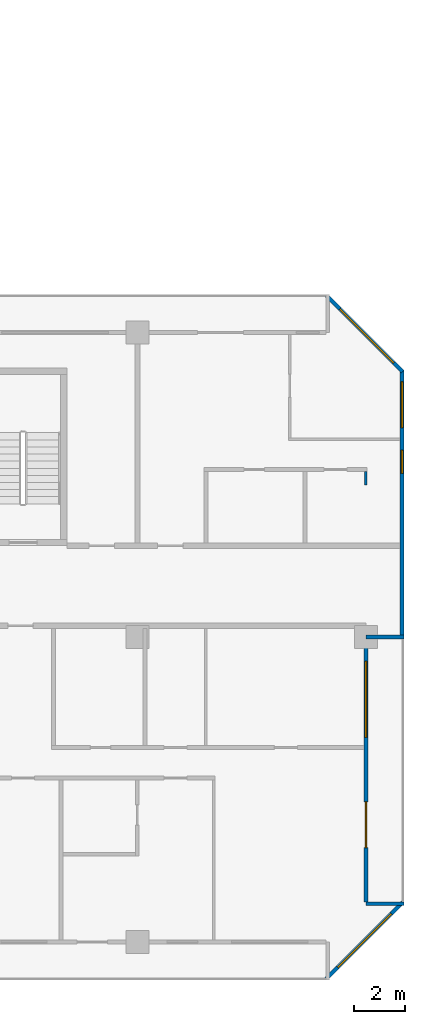
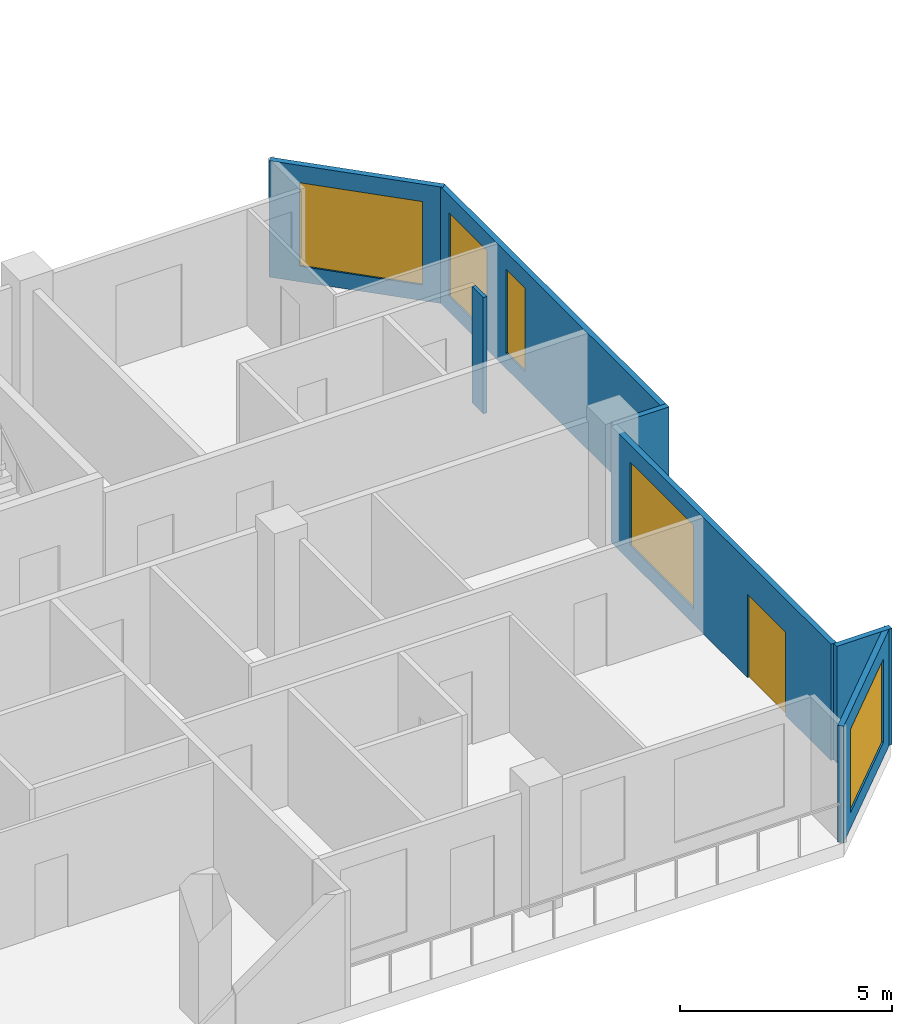
# One storey, part 12 of 15: 7 walls, 5 windows, 1 door, 6 openings.
"""IFC4 building model written with IfcOpenShell, lengths in metres."""

import ifcopenshell
import ifcopenshell.guid

model = None  # the IFC model being written
_history = None  # IfcOwnerHistory: only IFC2X3 demands one
_inside = {}  # id of a spatial element -> (the spatial element, [elements in it])
_under = {}  # id of a project, library or spatial element -> (it, [spatial elements below it])
_declared = {}  # id of a project -> (the project, [libraries it declares])
_typed = {}  # id of a type object -> (the type object, [elements of that type])
_made_of = {}  # id of a material, layer set ... -> (it, [elements and type objects made of it])


def new_model(schema):
    """Start an empty IFC model of exactly this schema.

    Asked for "IFC4X3", IfcOpenShell would pick the latest addendum, in which some entities
    have other attributes; the version numbers below select the first issue.
    IFC2X3 requires an IfcOwnerHistory on every rooted entity: one is made here for all.
    """
    global model, _history
    if schema == "IFC4X3":
        model = ifcopenshell.file(schema_version=(4, 3, 0, 0))
    else:
        model = ifcopenshell.file(schema=schema)
    _inside.clear()
    _under.clear()
    _declared.clear()
    _typed.clear()
    _made_of.clear()
    _history = None
    if model.schema == "IFC2X3":
        org = make("IfcOrganization", Name="unknown")
        user = make(
            "IfcPersonAndOrganization",
            ThePerson=make("IfcPerson", FamilyName="unknown"),
            TheOrganization=org,
        )
        app = make(
            "IfcApplication",
            ApplicationDeveloper=org,
            Version="unknown",
            ApplicationFullName="unknown",
            ApplicationIdentifier="unknown",
        )
        _history = make(
            "IfcOwnerHistory",
            OwningUser=user,
            OwningApplication=app,
            ChangeAction="ADDED",
            CreationDate=0,
        )
    return model


def make(cls, **values):
    """One entity of the class cls with the attributes given. An attribute that is None is left unset."""
    return model.create_entity(
        cls, **{name: value for name, value in values.items() if value is not None}
    )


def rooted(cls, **values):
    """An entity with a GlobalId (a new one), such as an element, a storey or a relation."""
    return make(cls, GlobalId=ifcopenshell.guid.new(), OwnerHistory=_history, **values)


def si_unit(unit_type, name, prefix=None):
    """IfcSIUnit, for example si_unit("LENGTHUNIT", "METRE", prefix="MILLI")."""
    return make("IfcSIUnit", UnitType=unit_type, Prefix=prefix, Name=name)


def assignment(units):
    """IfcUnitAssignment: the units of a project."""
    return None if units is None else make("IfcUnitAssignment", Units=units)


def point(xyz):
    """IfcCartesianPoint."""
    return None if xyz is None else make("IfcCartesianPoint", Coordinates=xyz)


def direction(xyz):
    """IfcDirection."""
    return None if xyz is None else make("IfcDirection", DirectionRatios=xyz)


def frame(location, z_axis=None, x_axis=None):
    """IfcAxis2Placement3D, a coordinate frame: its origin and axes. An axis left out is left unset."""
    return make(
        "IfcAxis2Placement3D",
        Location=point(location),
        Axis=direction(z_axis),
        RefDirection=direction(x_axis),
    )


def frame_2d(location, x_axis=None):
    """IfcAxis2Placement2D, a coordinate frame in the plane: its origin and x axis."""
    return make(
        "IfcAxis2Placement2D", Location=point(location), RefDirection=direction(x_axis)
    )


def origin():
    """The frame at (0, 0, 0) with its axes left unset."""
    return frame((0.0, 0.0, 0.0))


def place(relative_to, where):
    """IfcLocalPlacement: puts the frame where relative to a parent placement (None: the world)."""
    return make(
        "IfcLocalPlacement", PlacementRelTo=relative_to, RelativePlacement=where
    )


def context(
    kind, dimensions, precision=None, world=None, true_north=None, identifier=None
):
    """IfcGeometricRepresentationContext, for example the 3D "Model" context."""
    return make(
        "IfcGeometricRepresentationContext",
        ContextIdentifier=identifier,
        ContextType=kind,
        CoordinateSpaceDimension=dimensions,
        Precision=precision,
        WorldCoordinateSystem=world,
        TrueNorth=true_north,
    )


def subcontext(parent, identifier, kind, view, scale=None):
    """IfcGeometricRepresentationSubContext, for example "Body" below "Model"."""
    return make(
        "IfcGeometricRepresentationSubContext",
        ContextIdentifier=identifier,
        ContextType=kind,
        ParentContext=parent,
        TargetScale=scale,
        TargetView=view,
    )


def project(units=None, contexts=None):
    """IfcProject with its units and contexts."""
    return rooted(
        "IfcProject",
        Name="project",
        RepresentationContexts=contexts,
        UnitsInContext=assignment(units),
    )


def spatial(cls, under=None, at=None, **own):
    """A site, building, storey or space (cls), placed at a placement, below another one or the project."""
    s = rooted(cls, ObjectPlacement=at, **own)
    if under is not None:
        _under.setdefault(under.id(), (under, []))[1].append(s)
    return s


def profile(cls, at=None, kind="AREA", **sizes):
    """A parametric profile (cls). Its sizes go by their IFC names, for example OverallWidth=200.0."""
    return make(cls, ProfileType=kind, Position=at, **sizes)


def rectangle(**sizes):
    """IfcRectangleProfileDef."""
    return profile("IfcRectangleProfileDef", **sizes)


def extrude(swept, where, along, depth):
    """IfcExtrudedAreaSolid: the profile swept, set in the frame where, extruded along a direction by depth."""
    return make(
        "IfcExtrudedAreaSolid",
        SweptArea=swept,
        Position=where,
        ExtrudedDirection=direction(along),
        Depth=depth,
    )


def shape(context_of_items, identifier, shape_type, items):
    """IfcShapeRepresentation: the items that make up one representation, for example the "Body"."""
    return make(
        "IfcShapeRepresentation",
        ContextOfItems=context_of_items,
        RepresentationIdentifier=identifier,
        RepresentationType=shape_type,
        Items=items,
    )


def material(Name=None, Category=None):
    """IfcMaterial."""
    return make("IfcMaterial", Name=Name, Category=Category)


def layer(
    of_material, thickness, ventilated=None, Name=None, Category=None, Priority=None
):
    """IfcMaterialLayer: one layer of a wall or slab, of a material (None: an air gap)."""
    return make(
        "IfcMaterialLayer",
        Material=of_material,
        LayerThickness=thickness,
        IsVentilated=ventilated,
        Name=Name,
        Category=Category,
        Priority=Priority,
    )


def layer_set(layers, Name=None):
    """IfcMaterialLayerSet."""
    return make("IfcMaterialLayerSet", MaterialLayers=layers, LayerSetName=Name)


def made_of(thing, what):
    """Note that an element or type object is made of a material, layer set ...; save() writes the relation."""
    if what is not None:
        _made_of.setdefault(what.id(), (what, []))[1].append(thing)
    return thing


def type_object(cls, material=None, **own):
    """A type object (cls), such as IfcWallType, which elements share."""
    return made_of(rooted(cls, **own), material)


def element(
    cls,
    number,
    at=None,
    inside=None,
    cuts=None,
    type_object=None,
    material=None,
    context=None,
    identifier="Body",
    shape_type=None,
    held_by="IfcProductDefinitionShape",
    body=None,
    shapes=None,
    **own,
):
    """One element of the class cls, such as IfcWall. Its Tag is "e" and its number.

    at: its placement. inside: the storey or other place that contains it. cuts: it is an
    opening in that element (IfcRelVoidsElement). A single representation is given by context,
    identifier, shape_type and body (its items); several are given by shapes. held_by: the class
    of the entity that holds the representations. save() writes the other relations.
    """
    e = rooted(cls, Tag="e%d" % number, ObjectPlacement=at, **own)
    if body is not None:
        shapes = [shape(context, identifier, shape_type, body)]
    if shapes is not None:
        e.Representation = make(held_by, Representations=shapes)
    if inside is not None:
        _inside.setdefault(inside.id(), (inside, []))[1].append(e)
    if cuts is not None:
        rooted(
            "IfcRelVoidsElement", RelatingBuildingElement=cuts, RelatedOpeningElement=e
        )
    if type_object is not None:
        _typed.setdefault(type_object.id(), (type_object, []))[1].append(e)
    return made_of(e, material)


def fill(opening, filler):
    """IfcRelFillsElement: the door or window that sits in an opening."""
    return rooted(
        "IfcRelFillsElement",
        RelatingOpeningElement=opening,
        RelatedBuildingElement=filler,
    )


def aggregate(whole, parts):
    """IfcRelAggregates: a whole, such as a stair, and the parts it consists of."""
    return rooted("IfcRelAggregates", RelatingObject=whole, RelatedObjects=parts)


def save(model, path):
    """Write the relations noted so far, then the file.

    IfcRelAggregates (storeys below a building ...), IfcRelContainedInSpatialStructure (elements
    in a storey), IfcRelDefinesByType, IfcRelAssociatesMaterial and IfcRelDeclares: one each for
    every whole, place, type object, material and project.
    """
    for whole, parts in _under.values():
        aggregate(whole, parts)
    for where, things in _inside.values():
        rooted(
            "IfcRelContainedInSpatialStructure",
            RelatedElements=things,
            RelatingStructure=where,
        )
    for kind, things in _typed.values():
        rooted("IfcRelDefinesByType", RelatedObjects=things, RelatingType=kind)
    for what, things in _made_of.values():
        rooted("IfcRelAssociatesMaterial", RelatedObjects=things, RelatingMaterial=what)
    for by, libraries in _declared.values():
        rooted("IfcRelDeclares", RelatingContext=by, RelatedDefinitions=libraries)
    model.write(path)


model = new_model("IFC4")

# Units and contexts
model_context = context("Model", 3, precision=1e-05, world=origin(), true_north=direction((0.0, 1.0)))
body_context = subcontext(model_context, "Body", "Model", "MODEL_VIEW")
ifc_project = project(units=[si_unit("LENGTHUNIT", "METRE"), si_unit("AREAUNIT", "SQUARE_METRE"), si_unit("VOLUMEUNIT", "CUBIC_METRE"), si_unit("PLANEANGLEUNIT", "RADIAN"), si_unit("MASSUNIT", "GRAM", prefix="KILO")], contexts=[model_context])

# Site, building, storey
site_placement = place(None, origin())
site = spatial("IfcSite", under=ifc_project, at=site_placement, CompositionType="ELEMENT")
building_placement = place(site_placement, origin())
building = spatial("IfcBuilding", under=site, at=building_placement, Name="Chenar Terraces", CompositionType="ELEMENT")
storey_placement = place(building_placement, frame((0.0, 0.0, 176.14990234375)))
storey = spatial("IfcBuildingStorey", under=building, at=storey_placement, Name="L40", CompositionType="ELEMENT", Elevation=176.14990234375)

# Wall, openings, windows
ifc_material_1 = material(Name="Aluminium framed glazing", Category="aluminium")
ifc_layer_1 = layer(ifc_material_1, 0.14990234375)
ifc_layer_set_1 = layer_set([ifc_layer_1], Name="Aluminium framed glazing")
wall_type_1 = type_object("IfcWallType", Name="Glazed flush facade wall 150", PredefinedType="SOLIDWALL", material=ifc_layer_set_1)
wall_1_placement = place(storey_placement, frame((64.425048828125, 12.074951171875, 0.0), z_axis=(0.0, 0.0, 1.0), x_axis=(0.0, 1.0, 0.0)))
wall_1 = element("IfcWall", 1, at=wall_1_placement, inside=storey, type_object=wall_type_1, Name="Glazed flush facade wall", PredefinedType="SOLIDWALL", context=body_context, shape_type="SweptSolid", body=[
    extrude(rectangle(XDim=10.425048828125, YDim=0.14990234375, at=frame_2d((5.21240234375, 0.0))), origin(), (0.0, 0.0, 1.0), 3.35009765625),
])
opening_1_placement = place(wall_1_placement, frame((6.375, 0.0, 0.449951171875)))
opening_1 = element("IfcOpeningElement", 2, at=opening_1_placement, cuts=wall_1, Name="Opening W90x240", PredefinedType="OPENING", context=body_context, shape_type="SweptSolid", body=[
    extrude(rectangle(XDim=0.89990234375, YDim=2.39990234375, at=frame_2d((0.449951171875, 1.199951171875))), frame((0.0, 0.0849609375, 0.0), z_axis=(0.0, -1.0, 0.0), x_axis=(1.0, 0.0, 0.0)), (0.0, 0.0, 1.0), 0.169921875),
])
opening_2_placement = place(wall_1_placement, frame((8.175048828125, 0.0, 0.449951171875)))
opening_2 = element("IfcOpeningElement", 3, at=opening_2_placement, cuts=wall_1, Name="Opening W180x240", PredefinedType="OPENING", context=body_context, shape_type="SweptSolid", body=[
    extrude(rectangle(XDim=1.800048828125, YDim=2.39990234375, at=frame_2d((0.89990234375, 1.199951171875))), frame((0.0, 0.0849609375, 0.0), z_axis=(0.0, -1.0, 0.0), x_axis=(1.0, 0.0, 0.0)), (0.0, 0.0, 1.0), 0.169921875),
])
ifc_material_2 = material(Name="Low emissivity double glazing, aluminium frame", Category="aluminium")
window_type_1 = type_object("IfcWindowType", Name="Fixed light 1800 x 2400", PartitioningType="SINGLE_PANEL", PredefinedType="WINDOW", material=ifc_material_2)
window_1_placement = place(opening_2_placement, origin())
window_1 = element("IfcWindow", 4, at=window_1_placement, inside=storey, type_object=window_type_1, Name="Window", OverallHeight=2.39990234375, OverallWidth=1.800048828125, PartitioningType="SINGLE_PANEL", PredefinedType="WINDOW", context=body_context, shape_type="SweptSolid", body=[
    extrude(rectangle(XDim=1.800048828125, YDim=2.39990234375, at=frame_2d((0.89990234375, 1.199951171875))), frame((0.0, 0.030029296875, 0.0), z_axis=(0.0, -1.0, 0.0), x_axis=(1.0, 0.0, 0.0)), (0.0, 0.0, 1.0), 0.06005859375),
])
fill(opening_2, window_1)
ifc_material_3 = material(Name="Low emissivity double glazing, aluminium frame", Category="aluminium")
window_type_2 = type_object("IfcWindowType", Name="Fixed light 900 x 2400", PartitioningType="SINGLE_PANEL", PredefinedType="WINDOW", material=ifc_material_3)
window_2_placement = place(opening_1_placement, origin())
window_2 = element("IfcWindow", 5, at=window_2_placement, inside=storey, type_object=window_type_2, Name="Window", OverallHeight=2.39990234375, OverallWidth=0.89990234375, PartitioningType="SINGLE_PANEL", PredefinedType="WINDOW", context=body_context, shape_type="SweptSolid", body=[
    extrude(rectangle(XDim=0.89990234375, YDim=2.39990234375, at=frame_2d((0.449951171875, 1.199951171875))), frame((0.0, 0.030029296875, 0.0), z_axis=(0.0, -1.0, 0.0), x_axis=(1.0, 0.0, 0.0)), (0.0, 0.0, 1.0), 0.06005859375),
])
fill(opening_1, window_2)

# Wall, openings, window, door
ifc_material_4 = material(Name="Aluminium framed glazing", Category="aluminium")
ifc_layer_2 = layer(ifc_material_4, 0.14990234375)
ifc_layer_set_2 = layer_set([ifc_layer_2], Name="Aluminium framed glazing")
wall_type_2 = type_object("IfcWallType", Name="Glazed loggia back wall 150", PredefinedType="SOLIDWALL", material=ifc_layer_set_2)
wall_2_placement = place(storey_placement, frame((63.0, 1.574951171875, 0.0), z_axis=(0.0, 0.0, 1.0), x_axis=(0.0, 1.0, 0.0)))
wall_2 = element("IfcWall", 6, at=wall_2_placement, inside=storey, type_object=wall_type_2, Name="Glazed loggia back wall", PredefinedType="SOLIDWALL", context=body_context, shape_type="SweptSolid", body=[
    extrude(rectangle(XDim=10.35009765625, YDim=0.14990234375, at=frame_2d((5.175048828125, 0.0))), origin(), (0.0, 0.0, 1.0), 3.35009765625),
])
opening_3_placement = place(wall_2_placement, frame((2.137451171875, 0.0, 0.0)))
opening_3 = element("IfcOpeningElement", 7, at=opening_3_placement, cuts=wall_2, Name="Opening DL40-G8", PredefinedType="OPENING", context=body_context, shape_type="SweptSolid", body=[
    extrude(rectangle(XDim=1.800048828125, YDim=2.39990234375, at=frame_2d((0.89990234375, 1.199951171875))), frame((0.0, 0.0849609375, 0.0), z_axis=(0.0, -1.0, 0.0), x_axis=(1.0, 0.0, 0.0)), (0.0, 0.0, 1.0), 0.169921875),
])
opening_4_placement = place(wall_2_placement, frame((6.47509765625, 0.0, 0.449951171875)))
opening_4 = element("IfcOpeningElement", 8, at=opening_4_placement, cuts=wall_2, Name="Opening W300x240", PredefinedType="OPENING", context=body_context, shape_type="SweptSolid", body=[
    extrude(rectangle(XDim=3.0, YDim=2.39990234375, at=frame_2d((1.5, 1.199951171875))), frame((0.0, 0.0849609375, 0.0), z_axis=(0.0, -1.0, 0.0), x_axis=(1.0, 0.0, 0.0)), (0.0, 0.0, 1.0), 0.169921875),
])
ifc_material_5 = material(Name="Low emissivity double glazing, aluminium frame", Category="aluminium")
window_type_3 = type_object("IfcWindowType", Name="Fixed light 3000 x 2400", PartitioningType="SINGLE_PANEL", PredefinedType="WINDOW", material=ifc_material_5)
window_3_placement = place(opening_4_placement, origin())
window_3 = element("IfcWindow", 9, at=window_3_placement, inside=storey, type_object=window_type_3, Name="Window", OverallHeight=2.39990234375, OverallWidth=3.0, PartitioningType="SINGLE_PANEL", PredefinedType="WINDOW", context=body_context, shape_type="SweptSolid", body=[
    extrude(rectangle(XDim=3.0, YDim=2.39990234375, at=frame_2d((1.5, 1.199951171875))), frame((0.0, 0.030029296875, 0.0), z_axis=(0.0, -1.0, 0.0), x_axis=(1.0, 0.0, 0.0)), (0.0, 0.0, 1.0), 0.06005859375),
])
fill(opening_4, window_3)
ifc_material_6 = material(Name="Low emissivity double glazing, aluminium frame", Category="aluminium")
door_type = type_object("IfcDoorType", Name="Loggia glazed double door 1800 x 2400", OperationType="DOUBLE_DOOR_SINGLE_SWING", PredefinedType="DOOR", material=ifc_material_6)
door_placement = place(opening_3_placement, frame((1.800048828125, 0.0, 0.0), z_axis=(0.0, 0.0, 1.0), x_axis=(-1.0, 0.0, 0.0)))
door = element("IfcDoor", 10, at=door_placement, inside=storey, type_object=door_type, Name="Loggia glazed door", OperationType="DOUBLE_DOOR_SINGLE_SWING", OverallHeight=2.39990234375, OverallWidth=1.800048828125, PredefinedType="DOOR", context=body_context, shape_type="SweptSolid", body=[
    extrude(rectangle(XDim=1.800048828125, YDim=2.39990234375, at=frame_2d((0.89990234375, 1.199951171875))), frame((0.0, 0.02490234375, 0.0), z_axis=(0.0, -1.0, 0.0), x_axis=(1.0, 0.0, 0.0)), (0.0, 0.0, 1.0), 0.050048828125),
])
fill(opening_3, door)

# Walls
ifc_material_7 = material(Name="Gypsum board on steel studs", Category="steel")
ifc_layer_3 = layer(ifc_material_7, 0.10009765625)
ifc_layer_set_3 = layer_set([ifc_layer_3], Name="Gypsum board on steel studs")
wall_type_3 = type_object("IfcWallType", Name="Gypsum partition 100", PredefinedType="PARTITIONING", material=ifc_layer_set_3)
wall_3_placement = place(storey_placement, frame((63.0, 18.0, 0.0), z_axis=(0.0, 0.0, 1.0), x_axis=(0.0, 1.0, 0.0)))
element("IfcWall", 11, at=wall_3_placement, inside=storey, type_object=wall_type_3, Name="Partition L40-088", PredefinedType="PARTITIONING", context=body_context, shape_type="SweptSolid", body=[
    extrude(rectangle(XDim=0.52490234375, YDim=0.10009765625, at=frame_2d((0.262451171875, 0.0))), origin(), (0.0, 0.0, 1.0), 3.35009765625),
])
ifc_material_8 = material(Name="Terracotta cladding on insulated backing", Category="masonry")
ifc_layer_4 = layer(ifc_material_8, 0.14990234375)
ifc_layer_set_4 = layer_set([ifc_layer_4], Name="Terracotta cladding on insulated backing")
wall_type_4 = type_object("IfcWallType", Name="Loggia return wall 150", PredefinedType="SOLIDWALL", material=ifc_layer_set_4)
for number, where, z_axis, x_axis, name in (
    (12, (64.5, 1.5, 0.0), (0.0, 0.0, 1.0), (-1.0, 0.0, 0.0), "Loggia return wall"),
    (13, (64.5, 12.0, 0.0), (0.0, 0.0, 1.0), (-1.0, 0.0, 0.0), "Loggia return wall"),
):
    element("IfcWall", number, at=place(storey_placement, frame(where, z_axis=z_axis, x_axis=x_axis)), inside=storey, type_object=wall_type_4, Name=name, PredefinedType="SOLIDWALL", context=body_context, shape_type="SweptSolid", body=[
        extrude(rectangle(XDim=1.5, YDim=0.14990234375, at=frame_2d((0.75, 0.0))), origin(), (0.0, 0.0, 1.0), 3.35009765625),
    ])

# Wall, opening, window
ifc_material_9 = material(Name="Terracotta cladding on insulated backing", Category="masonry")
ifc_layer_5 = layer(ifc_material_9, 0.14990234375)
ifc_layer_set_5 = layer_set([ifc_layer_5], Name="Terracotta cladding on insulated backing")
wall_type_5 = type_object("IfcWallType", Name="Terracotta rainscreen wall 150", PredefinedType="SOLIDWALL", material=ifc_layer_set_5)
wall_4_placement = place(storey_placement, frame((61.447021484375, -1.447021484375, 0.0), z_axis=(0.0, 0.0, 1.0), x_axis=(0.707106781187, 0.707106781187, 0.0)))
wall_4 = element("IfcWall", 14, at=wall_4_placement, inside=storey, type_object=wall_type_5, Name="Terracotta rainscreen wall", PredefinedType="SOLIDWALL", context=body_context, shape_type="SweptSolid", body=[
    extrude(rectangle(XDim=4.24267578125, YDim=0.14990234375, at=frame_2d((2.121337890625, 0.0))), origin(), (0.0, 0.0, 1.0), 3.35009765625),
])
opening_5_placement = place(wall_4_placement, frame((0.621337890625, 0.0, 0.449951171875)))
opening_5 = element("IfcOpeningElement", 15, at=opening_5_placement, cuts=wall_4, Name="Opening W300x240", PredefinedType="OPENING", context=body_context, shape_type="SweptSolid", body=[
    extrude(rectangle(XDim=3.0, YDim=2.39990234375, at=frame_2d((1.5, 1.199951171875))), frame((0.0, 0.0849609375, 0.0), z_axis=(0.0, -1.0, 0.0), x_axis=(1.0, 0.0, 0.0)), (0.0, 0.0, 1.0), 0.169921875),
])
window_4_placement = place(opening_5_placement, origin())
window_4 = element("IfcWindow", 16, at=window_4_placement, inside=storey, type_object=window_type_3, Name="Window", OverallHeight=2.39990234375, OverallWidth=3.0, PartitioningType="SINGLE_PANEL", PredefinedType="WINDOW", context=body_context, shape_type="SweptSolid", body=[
    extrude(rectangle(XDim=3.0, YDim=2.39990234375, at=frame_2d((1.5, 1.199951171875))), frame((0.0, 0.030029296875, 0.0), z_axis=(0.0, -1.0, 0.0), x_axis=(1.0, 0.0, 0.0)), (0.0, 0.0, 1.0), 0.06005859375),
])
fill(opening_5, window_4)

wall_5_placement = place(storey_placement, frame((64.447021484375, 22.447021484375, 0.0), z_axis=(0.0, 0.0, 1.0), x_axis=(-0.707106781187, 0.707106781187, 0.0)))
wall_5 = element("IfcWall", 17, at=wall_5_placement, inside=storey, type_object=wall_type_5, Name="Terracotta rainscreen wall", PredefinedType="SOLIDWALL", context=body_context, shape_type="SweptSolid", body=[
    extrude(rectangle(XDim=4.24267578125, YDim=0.14990234375, at=frame_2d((2.121337890625, 0.0))), origin(), (0.0, 0.0, 1.0), 3.35009765625),
])
opening_6_placement = place(wall_5_placement, frame((0.498046875, 0.0, 0.449951171875)))
opening_6 = element("IfcOpeningElement", 18, at=opening_6_placement, cuts=wall_5, Name="Opening W300x240", PredefinedType="OPENING", context=body_context, shape_type="SweptSolid", body=[
    extrude(rectangle(XDim=3.0, YDim=2.39990234375, at=frame_2d((1.5, 1.199951171875))), frame((0.0, 0.0849609375, 0.0), z_axis=(0.0, -1.0, 0.0), x_axis=(1.0, 0.0, 0.0)), (0.0, 0.0, 1.0), 0.169921875),
])
window_5_placement = place(opening_6_placement, origin())
window_5 = element("IfcWindow", 19, at=window_5_placement, inside=storey, type_object=window_type_3, Name="Window", OverallHeight=2.39990234375, OverallWidth=3.0, PartitioningType="SINGLE_PANEL", PredefinedType="WINDOW", context=body_context, shape_type="SweptSolid", body=[
    extrude(rectangle(XDim=3.0, YDim=2.39990234375, at=frame_2d((1.5, 1.199951171875))), frame((0.0, 0.030029296875, 0.0), z_axis=(0.0, -1.0, 0.0), x_axis=(1.0, 0.0, 0.0)), (0.0, 0.0, 1.0), 0.06005859375),
])
fill(opening_6, window_5)

save(model, "model.ifc")
